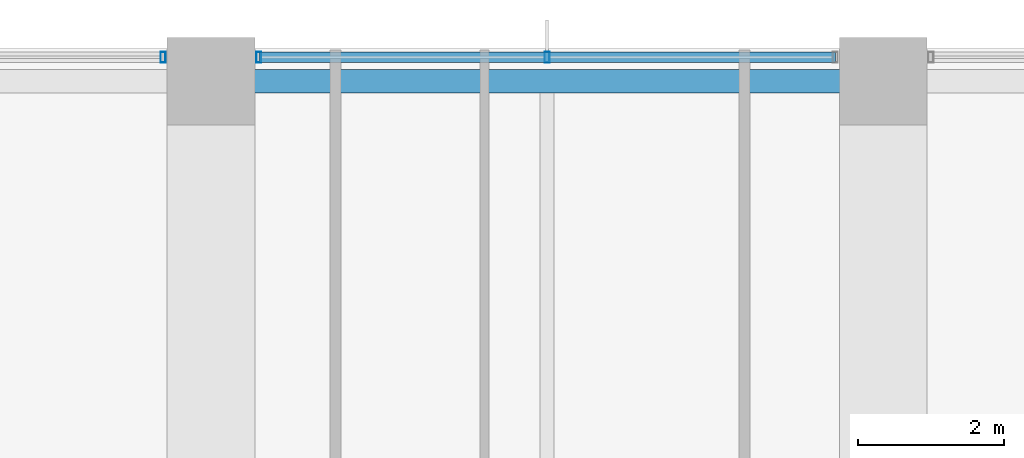
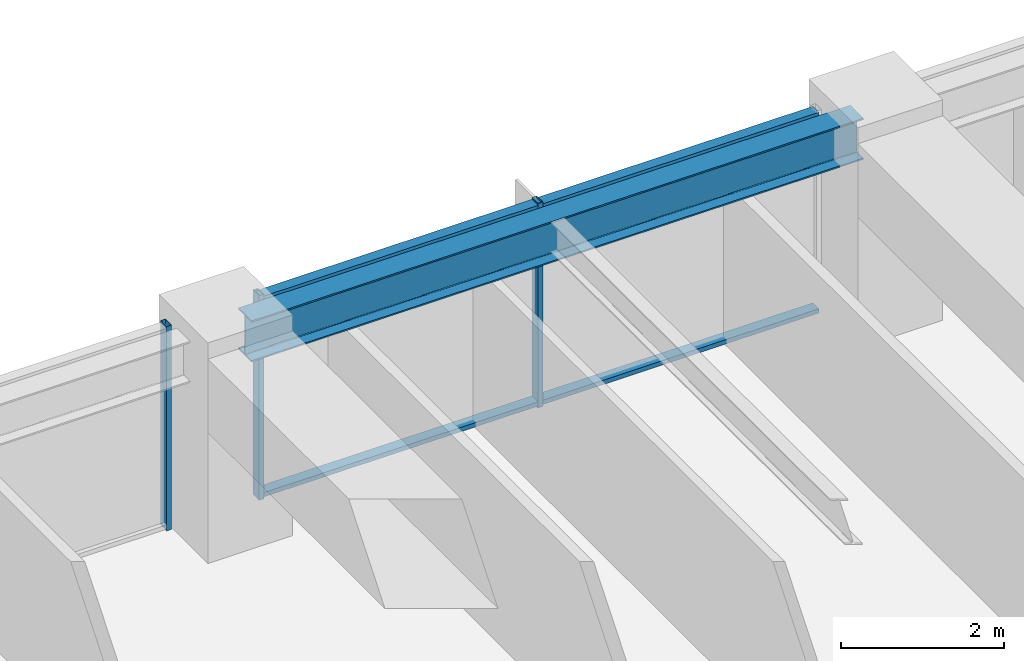
# One storey, part 21 of 37: 5 members, 1 beam, 2 elements without a shape of their own.
"""IFC4 building model written with IfcOpenShell, lengths in metres."""

from ifc_helpers import new_model, si_unit, direction, frame, origin, origin_2d, place, context, subcontext, project, spatial, hollow_rectangle, i_section, extrude, material, material_profile, profile_set, type_object, element, aggregate, save


model = new_model("IFC4")

# Units and contexts
model_context = context("Model", 3, precision=1e-05, world=origin(), true_north=direction((0.0, 1.0)))
body_context = subcontext(model_context, "Body", "Model", "MODEL_VIEW")
ifc_project = project(units=[si_unit("LENGTHUNIT", "METRE"), si_unit("AREAUNIT", "SQUARE_METRE"), si_unit("VOLUMEUNIT", "CUBIC_METRE"), si_unit("PLANEANGLEUNIT", "RADIAN"), si_unit("MASSUNIT", "GRAM", prefix="KILO")], contexts=[model_context])

# Site, building, storey
site_placement = place(None, origin())
site = spatial("IfcSite", under=ifc_project, at=site_placement, CompositionType="ELEMENT")
building_placement = place(site_placement, origin())
building = spatial("IfcBuilding", under=site, at=building_placement, Name="Kolvaren Belvedere", CompositionType="ELEMENT")
storey_placement = place(building_placement, frame((0.0, 0.0, 37.0)))
storey = spatial("IfcBuildingStorey", under=building, at=storey_placement, Name="L10", CompositionType="ELEMENT", Elevation=37.0)

# Beam
ifc_material_1 = material(Name="Structural steel ASTM A992 Grade 50", Category="steel")
ifc_material_profile_1 = material_profile(ifc_material_1, i_section(OverallWidth=0.324951171875, OverallDepth=0.615966796875, WebThickness=0.013916015625, FlangeThickness=0.021484375, FilletRadius=0.02001953125, at=origin_2d()), Name="W24X117")
ifc_profile_set_1 = profile_set([ifc_material_profile_1], Name="Structural steel ASTM A992 Grade 50")
beam_type = type_object("IfcBeamType", Name="BM-SPAN-W24X117", PredefinedType="SPANDREL", material=ifc_profile_set_1)
beam_placement = place(storey_placement, frame((4.330078125, 21.550048828125, 2.751953125), z_axis=(-1.0, 0.0, 0.0), x_axis=(0.0, -1.0, 0.0)))
element("IfcBeam", 1, at=beam_placement, inside=storey, type_object=beam_type, Name="L10 Perimeter Spandrel N3-N2", PredefinedType="SPANDREL", context=body_context, shape_type="SweptSolid", body=[
    extrude(i_section(OverallWidth=0.324951171875, OverallDepth=0.615966796875, WebThickness=0.013916015625, FlangeThickness=0.021484375, FilletRadius=0.02001953125, at=origin_2d()), origin(), (0.0, 0.0, 1.0), 8.66015625),
])

# Curtain wall, member
ifc_material_2 = material(Name="Anodised pale-metal aluminium AA 6063-T6", Category="aluminium")
curtain_wall_type = type_object("IfcCurtainWallType", Name="CW-Z1-LOW", PredefinedType="NOTDEFINED", material=ifc_material_2)
curtain_wall_1_placement = place(storey_placement, origin())
curtain_wall_1 = element("IfcCurtainWall", 2, at=curtain_wall_1_placement, inside=storey, type_object=curtain_wall_type, Name="L10 Unitised Curtain Wall FCW-L10-N-B1", PredefinedType="NOTDEFINED")
ifc_material_3 = material(Name="Anodised pale-metal aluminium AA 6063-T6", Category="aluminium")
ifc_material_profile_2 = material_profile(ifc_material_3, hollow_rectangle(XDim=0.070068359375, YDim=0.14990234375, WallThickness=0.004150390625, at=origin_2d()), Name="ALU-MUL-150X70")
ifc_profile_set_2 = profile_set([ifc_material_profile_2], Name="Anodised pale-metal aluminium AA 6063-T6")
member_type_1 = type_object("IfcMemberType", Name="CW-MUL-150", PredefinedType="MULLION", material=ifc_profile_set_2)
member_1_placement = place(storey_placement, frame((-5.2548828125, 21.8798828125, 0.0), z_axis=(0.0, 0.0, 1.0), x_axis=(1.0, 0.0, 0.0)))
member_1 = element("IfcMember", 3, at=member_1_placement, type_object=member_type_1, Name="FCW-L10-N-B1 Unitised Mullion 3", PredefinedType="MULLION", context=body_context, shape_type="SweptSolid", body=[
    extrude(hollow_rectangle(XDim=0.070068359375, YDim=0.14990234375, WallThickness=0.004150390625, at=origin_2d()), origin(), (0.0, 0.0, 1.0), 3.06005859375),
])
aggregate(curtain_wall_1, [member_1])

# Curtain wall, members
curtain_wall_2_placement = place(storey_placement, origin())
curtain_wall_2 = element("IfcCurtainWall", 4, at=curtain_wall_2_placement, inside=storey, type_object=curtain_wall_type, Name="L10 Unitised Curtain Wall FCW-L10-N-B2", PredefinedType="NOTDEFINED")
member_2_placement = place(storey_placement, frame((-3.945068359375, 21.8798828125, 0.0), z_axis=(0.0, 0.0, 1.0), x_axis=(1.0, 0.0, 0.0)))
member_2 = element("IfcMember", 5, at=member_2_placement, type_object=member_type_1, Name="FCW-L10-N-B2 Unitised Mullion 1", PredefinedType="MULLION", context=body_context, shape_type="SweptSolid", body=[
    extrude(hollow_rectangle(XDim=0.070068359375, YDim=0.14990234375, WallThickness=0.004150390625, at=origin_2d()), origin(), (0.0, 0.0, 1.0), 3.06005859375),
])
member_3_placement = place(storey_placement, frame((0.0, 21.8798828125, 0.0), z_axis=(0.0, 0.0, 1.0), x_axis=(1.0, 0.0, 0.0)))
member_3 = element("IfcMember", 6, at=member_3_placement, type_object=member_type_1, Name="FCW-L10-N-B2 Unitised Mullion 2", PredefinedType="MULLION", context=body_context, shape_type="SweptSolid", body=[
    extrude(hollow_rectangle(XDim=0.070068359375, YDim=0.14990234375, WallThickness=0.004150390625, at=origin_2d()), origin(), (0.0, 0.0, 1.0), 3.06005859375),
])
ifc_material_4 = material(Name="Anodised pale-metal aluminium AA 6063-T6", Category="aluminium")
ifc_material_profile_3 = material_profile(ifc_material_4, hollow_rectangle(XDim=0.06494140625, YDim=0.14990234375, WallThickness=0.00390625, at=origin_2d()), Name="ALU-TRN-150X65")
ifc_profile_set_3 = profile_set([ifc_material_profile_3], Name="Anodised pale-metal aluminium AA 6063-T6")
member_type_2 = type_object("IfcMemberType", Name="CW-TRN-150", PredefinedType="USERDEFINED", material=ifc_profile_set_3)
member_4_placement = place(storey_placement, frame((-3.945068359375, 21.8798828125, 0.06005859375), z_axis=(1.0, 0.0, 0.0), x_axis=(0.0, 0.0, 1.0)))
member_4 = element("IfcMember", 7, at=member_4_placement, type_object=member_type_2, Name="FCW-L10-N-B2 Sill Transom", ObjectType="TRANSOM", PredefinedType="USERDEFINED", context=body_context, shape_type="SweptSolid", body=[
    extrude(hollow_rectangle(XDim=0.06494140625, YDim=0.14990234375, WallThickness=0.00390625, at=origin_2d()), origin(), (0.0, 0.0, 1.0), 7.89013671875),
])
member_5_placement = place(storey_placement, frame((-3.945068359375, 21.8798828125, 3.0), z_axis=(1.0, 0.0, 0.0), x_axis=(0.0, 0.0, 1.0)))
member_5 = element("IfcMember", 8, at=member_5_placement, type_object=member_type_2, Name="FCW-L10-N-B2 Head Transom", ObjectType="TRANSOM", PredefinedType="USERDEFINED", context=body_context, shape_type="SweptSolid", body=[
    extrude(hollow_rectangle(XDim=0.06494140625, YDim=0.14990234375, WallThickness=0.00390625, at=origin_2d()), origin(), (0.0, 0.0, 1.0), 7.89013671875),
])
aggregate(curtain_wall_2, [member_2, member_3, member_4, member_5])

save(model, "model.ifc")
